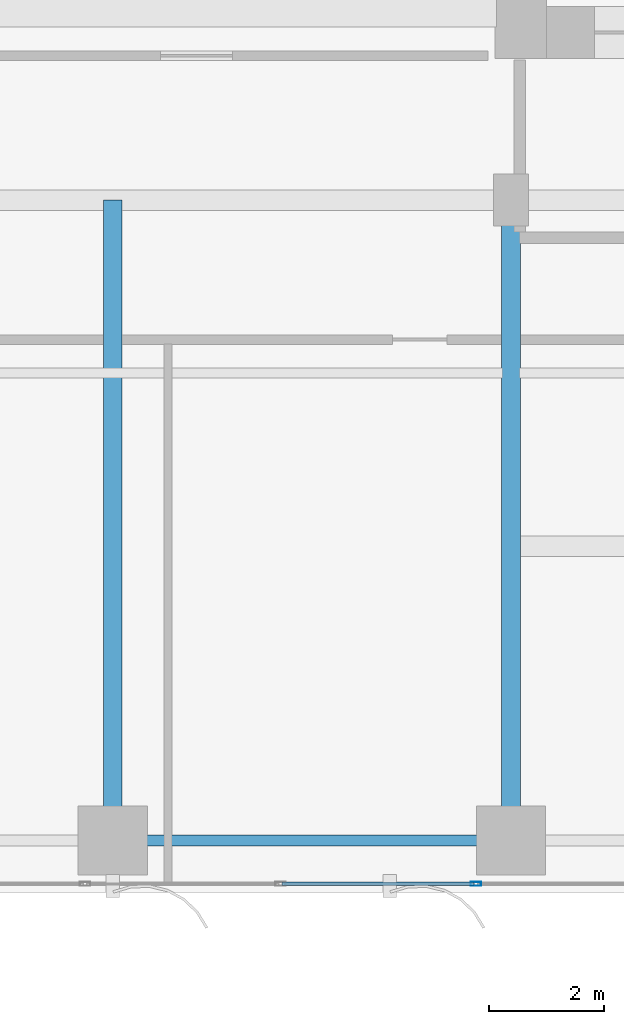
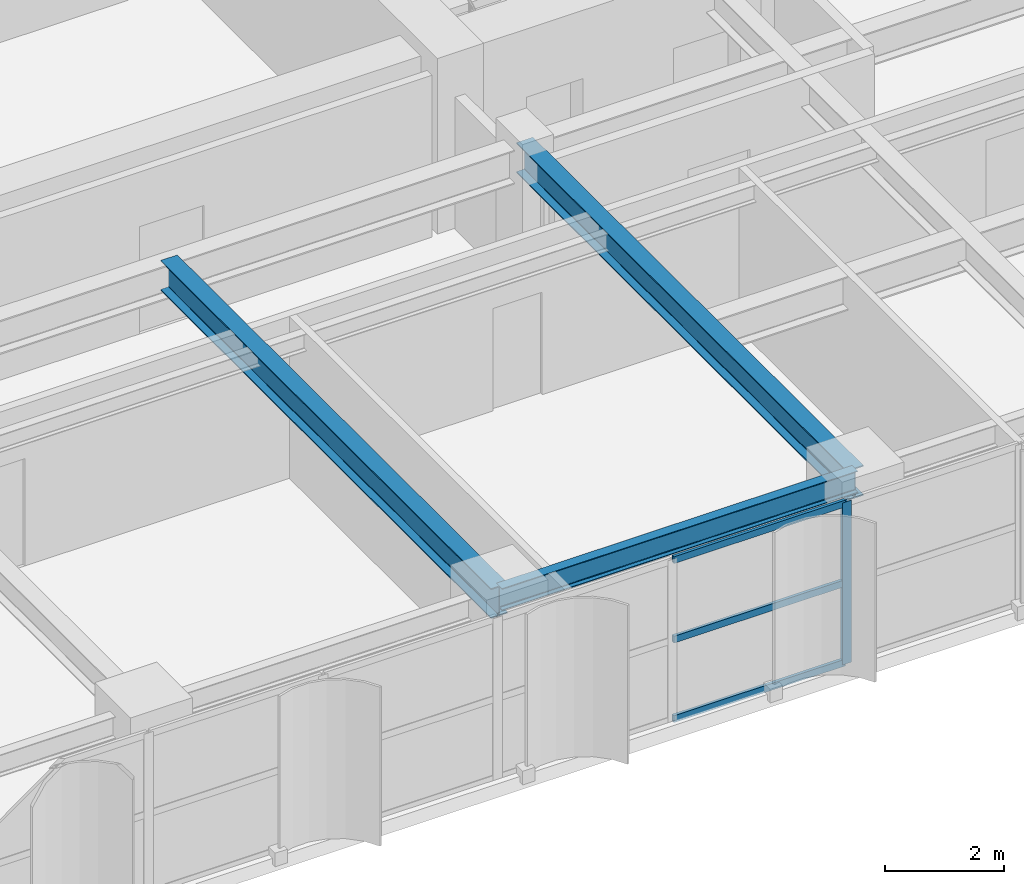
# One storey, part 5 of 25: 4 members, 3 beams, 1 element without a shape of its own.
"""IFC4 building model written with IfcOpenShell, lengths in metres."""

from ifc_helpers import new_model, si_unit, direction, frame, origin, origin_2d, place, context, subcontext, project, spatial, hollow_rectangle, i_section, extrude, source, transform, mapped, material, layer, layer_set, material_profile, profile_set, type_object, element, aggregate, save


model = new_model("IFC4")

# Units and contexts
model_context = context("Model", 3, precision=1e-05, world=origin(), true_north=direction((0.0, 1.0)))
body_context = subcontext(model_context, "Body", "Model", "MODEL_VIEW")
ifc_project = project(units=[si_unit("LENGTHUNIT", "METRE"), si_unit("AREAUNIT", "SQUARE_METRE"), si_unit("VOLUMEUNIT", "CUBIC_METRE"), si_unit("PLANEANGLEUNIT", "RADIAN"), si_unit("MASSUNIT", "GRAM", prefix="KILO")], contexts=[model_context])

# Site, building, storey
site_placement = place(None, origin())
site = spatial("IfcSite", under=ifc_project, at=site_placement, CompositionType="ELEMENT")
building_placement = place(site_placement, origin())
building = spatial("IfcBuilding", under=site, at=building_placement, Name="Khoralis Quay Care Tower", CompositionType="ELEMENT")
storey_placement = place(building_placement, frame((0.0, 0.0, 51.300048828125)))
storey = spatial("IfcBuildingStorey", under=building, at=storey_placement, Name="L13", CompositionType="ELEMENT", Elevation=51.300048828125)

# Beams
ifc_material_1 = material(Name="Steel S355", Category="steel")
ifc_material_profile_1 = material_profile(ifc_material_1, i_section(OverallWidth=0.18994140625, OverallDepth=0.449951171875, WebThickness=0.009521484375, FlangeThickness=0.0146484375, FilletRadius=0.02099609375, at=origin_2d()), Name="Steel S355")
ifc_profile_set_1 = profile_set([ifc_material_profile_1], Name="Steel S355")
beam_type_1 = type_object("IfcBeamType", Name="BM-IPE450", PredefinedType="SPANDREL", material=ifc_profile_set_1)
shared_shape_1 = source(origin(), body_context, "Body", "SweptSolid", [
    extrude(i_section(OverallWidth=0.18994140625, OverallDepth=0.449951171875, WebThickness=0.009521484375, FlangeThickness=0.0146484375, FilletRadius=0.02099609375, at=origin_2d()), origin(), (0.0, 0.0, 1.0), 6.89990234375),
])
beam_placement = place(storey_placement, frame((24.0, 0.89990234375, 3.094970703125), z_axis=(1.0, 0.0, 0.0), x_axis=(0.0, 1.0, 0.0)))
element("IfcBeam", 1, at=beam_placement, inside=storey, type_object=beam_type_1, Name="BM-TSP-L13-04", PredefinedType="SPANDREL", context=body_context, shape_type="MappedRepresentation", body=[
    mapped(shared_shape_1, transform((0.0, 0.0, 0.0), scale=1.0)),
])
ifc_material_profile_2 = material_profile(ifc_material_1, i_section(OverallWidth=0.324951171875, OverallDepth=0.615966796875, WebThickness=0.013916015625, FlangeThickness=0.021484375, FilletRadius=0.01806640625, at=origin_2d()), Name="Steel S355")
ifc_profile_set_2 = profile_set([ifc_material_profile_2], Name="Steel S355")
beam_type_2 = type_object("IfcBeamType", Name="BM-W610X174", PredefinedType="BEAM", material=ifc_profile_set_2)
shared_shape_2 = source(origin(), body_context, "Body", "SweptSolid", [
    extrude(i_section(OverallWidth=0.324951171875, OverallDepth=0.615966796875, WebThickness=0.013916015625, FlangeThickness=0.021484375, FilletRadius=0.01806640625, at=origin_2d()), origin(), (0.0, 0.0, 1.0), 11.10009765625),
])
for number, where, z_axis, x_axis, name in (
    (2, (24.0, 0.89990234375, 3.011962890625), (0.0, 1.0, 0.0), (-1.0, 0.0, 0.0), "BM-TGYS-L13-240"),
    (3, (30.89990234375, 0.89990234375, 3.011962890625), (0.0, 1.0, 0.0), (-1.0, 0.0, 0.0), "BM-TGYS-L13-309"),
):
    element("IfcBeam", number, at=place(storey_placement, frame(where, z_axis=z_axis, x_axis=x_axis)), inside=storey, type_object=beam_type_2, Name=name, PredefinedType="BEAM", context=body_context, shape_type="MappedRepresentation", body=[
        mapped(shared_shape_2, transform((0.0, 0.0, 0.0), scale=1.0)),
    ])

# Curtain wall, members
ifc_material_2 = material(Name="Pale anodised aluminium", Category="aluminium")
ifc_layer = layer(ifc_material_2, 0.179931640625)
ifc_layer_set = layer_set([ifc_layer], Name="Pale anodised aluminium")
curtain_wall_type = type_object("IfcCurtainWallType", Name="CW-SYS-Z1", PredefinedType="NOTDEFINED", material=ifc_layer_set)
curtain_wall_placement = place(storey_placement, origin())
curtain_wall = element("IfcCurtainWall", 4, at=curtain_wall_placement, inside=storey, type_object=curtain_wall_type, Name="L13 Unitised Curtain Wall CW-L13-P1-E0", PredefinedType="NOTDEFINED")
ifc_material_profile_3 = material_profile(ifc_material_2, hollow_rectangle(XDim=0.06494140625, YDim=0.179931640625, WallThickness=0.00390625, at=origin_2d()), Name="Pale anodised aluminium")
ifc_profile_set_3 = profile_set([ifc_material_profile_3], Name="Pale anodised aluminium")
member_type_1 = type_object("IfcMemberType", Name="CW-MUL-180", PredefinedType="MULLION", material=ifc_profile_set_3)
shared_shape_3 = source(origin(), body_context, "Body", "SweptSolid", [
    extrude(hollow_rectangle(XDim=0.06494140625, YDim=0.179931640625, WallThickness=0.00390625, at=origin_2d()), origin(), (0.0, 0.0, 1.0), 3.320068359375),
])
member_1_placement = place(storey_placement, frame((30.293212890625, 0.14990234375, 0.0), z_axis=(0.0, 0.0, 1.0), x_axis=(0.0, 1.0, 0.0)))
member_1 = element("IfcMember", 5, at=member_1_placement, type_object=member_type_1, Name="CW1 mullion 6", PredefinedType="MULLION", context=body_context, shape_type="MappedRepresentation", body=[
    mapped(shared_shape_3, transform((0.0, 0.0, 0.0), scale=1.0)),
])
ifc_material_profile_4 = material_profile(ifc_material_2, hollow_rectangle(XDim=0.06005859375, YDim=0.139892578125, WallThickness=0.00390625, at=origin_2d()), Name="Pale anodised aluminium")
ifc_profile_set_4 = profile_set([ifc_material_profile_4], Name="Pale anodised aluminium")
member_type_2 = type_object("IfcMemberType", Name="CW-TRN-140", PredefinedType="USERDEFINED", material=ifc_profile_set_4)
shared_shape_4 = source(origin(), body_context, "Body", "SweptSolid", [
    extrude(hollow_rectangle(XDim=0.06005859375, YDim=0.139892578125, WallThickness=0.00390625, at=origin_2d()), origin(), (0.0, 0.0, 1.0), 3.32666015625),
])
member_2_placement = place(storey_placement, frame((26.936767578125, 0.14990234375, 0.030029296875), z_axis=(1.0, 0.0, 0.0), x_axis=(0.0, 1.0, 0.0)))
member_2 = element("IfcMember", 6, at=member_2_placement, type_object=member_type_2, Name="CW1 transom 5.1", ObjectType="TRANSOM", PredefinedType="USERDEFINED", context=body_context, shape_type="MappedRepresentation", body=[
    mapped(shared_shape_4, transform((0.0, 0.0, 0.0), scale=1.0)),
])
member_3_placement = place(storey_placement, frame((26.936767578125, 0.14990234375, 1.659912109375), z_axis=(1.0, 0.0, 0.0), x_axis=(0.0, 1.0, 0.0)))
member_3 = element("IfcMember", 7, at=member_3_placement, type_object=member_type_2, Name="CW1 transom 5.2", ObjectType="TRANSOM", PredefinedType="USERDEFINED", context=body_context, shape_type="MappedRepresentation", body=[
    mapped(shared_shape_4, transform((0.0, 0.0, 0.0), scale=1.0)),
])
member_4_placement = place(storey_placement, frame((26.936767578125, 0.14990234375, 3.2900390625), z_axis=(1.0, 0.0, 0.0), x_axis=(0.0, 1.0, 0.0)))
member_4 = element("IfcMember", 8, at=member_4_placement, type_object=member_type_2, Name="CW1 transom 5.3", ObjectType="TRANSOM", PredefinedType="USERDEFINED", context=body_context, shape_type="MappedRepresentation", body=[
    mapped(shared_shape_4, transform((0.0, 0.0, 0.0), scale=1.0)),
])
aggregate(curtain_wall, [member_1, member_2, member_3, member_4])

save(model, "model.ifc")
